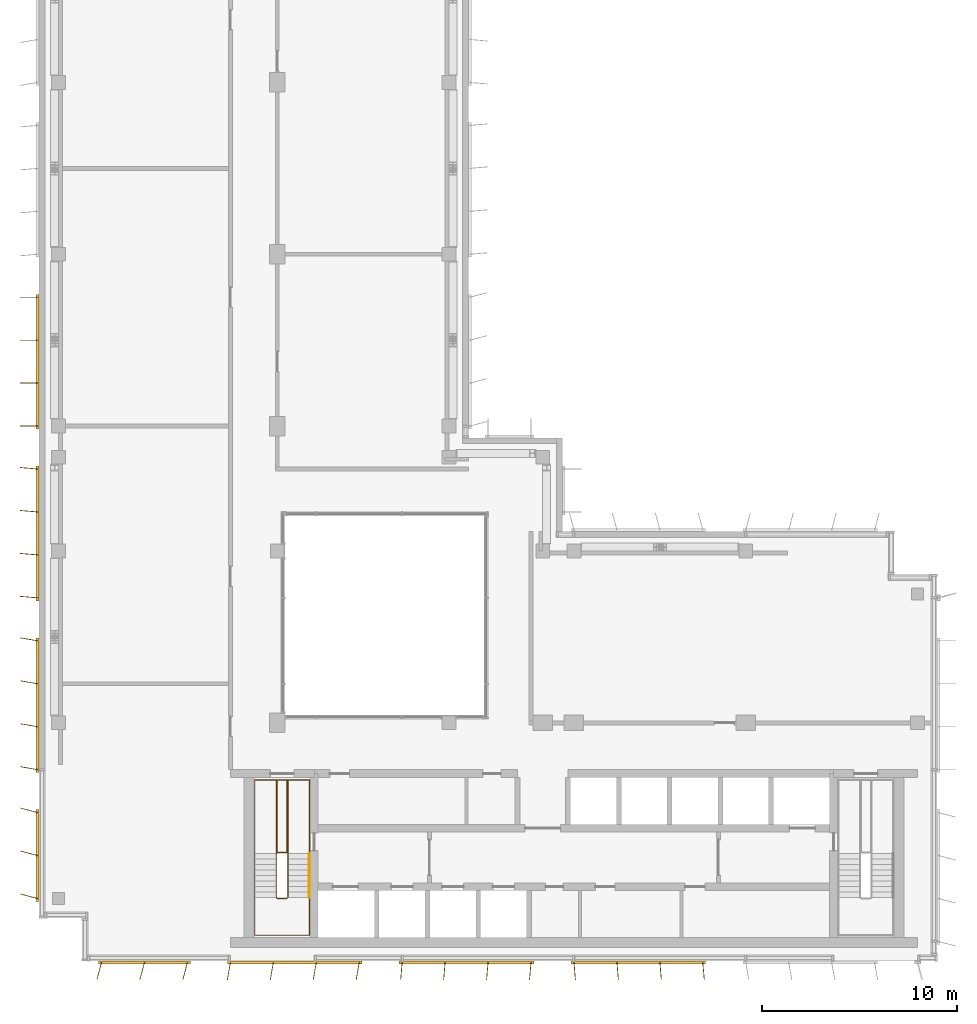
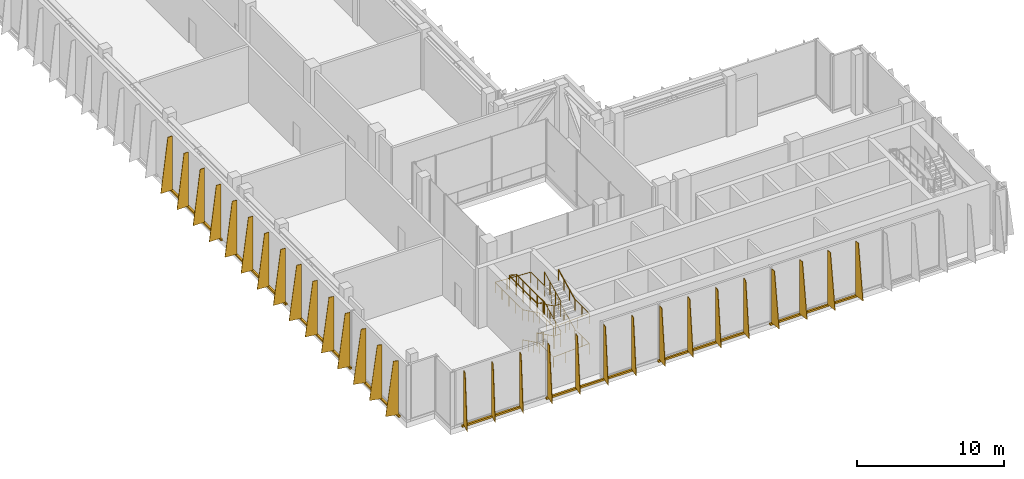
# One storey, part 11 of 14: 8 shading devices, 4 railings.
"""IFC4 building model written with IfcOpenShell, lengths in metres."""

from ifc_helpers import new_model, si_unit, direction, frame, origin, origin_2d, place, context, subcontext, project, spatial, polyline, rectangle, circle, outline, extrude, source, transform, mapped, material, layer, layer_set, type_object, element, save


model = new_model("IFC4")

# Units and contexts
model_context = context("Model", 3, precision=1e-05, world=origin(), true_north=direction((0.0, 1.0)))
body_context = subcontext(model_context, "Body", "Model", "MODEL_VIEW")
ifc_project = project(units=[si_unit("LENGTHUNIT", "METRE"), si_unit("AREAUNIT", "SQUARE_METRE"), si_unit("VOLUMEUNIT", "CUBIC_METRE"), si_unit("PLANEANGLEUNIT", "RADIAN"), si_unit("MASSUNIT", "GRAM", prefix="KILO")], contexts=[model_context])

# Site, building, storey
site_placement = place(None, origin())
site = spatial("IfcSite", under=ifc_project, at=site_placement, CompositionType="ELEMENT")
building_placement = place(site_placement, origin())
building = spatial("IfcBuilding", under=site, at=building_placement, Name="Kemantara Hotel Tower", CompositionType="ELEMENT")
storey_placement = place(building_placement, frame((0.0, 0.0, 309.199951171875)))
storey = spatial("IfcBuildingStorey", under=building, at=storey_placement, Name="L78", CompositionType="ELEMENT", Elevation=309.199951171875)

# Railings
ifc_material_1 = material(Name="Stainless steel balustrade", Category="steel")
railing_type_1 = type_object("IfcRailingType", Name="Stair guard 1100 mm", PredefinedType="GUARDRAIL", material=ifc_material_1)
railing_1_placement = place(storey_placement, frame((12.75, 5.5, 5.0)))
element("IfcRailing", 1, at=railing_1_placement, inside=storey, type_object=railing_type_1, Name="L78 ST1 stair guard 1", PredefinedType="GUARDRAIL", context=body_context, shape_type="SweptSolid", body=[
    extrude(circle(Radius=0.02392578125, at=origin_2d()), frame((0.0, 0.0, 1.076171875), z_axis=(0.0, -0.895848192791, -0.444360231651), x_axis=(1.0, 0.0, 0.0)), (0.0, 0.0, 1.0), 2.50048828125),
    extrude(circle(Radius=0.02392578125, at=origin_2d()), frame((0.0, -2.239990234375, -0.03515625), z_axis=(-0.321014310373, -0.321014310373, -0.891010451718), x_axis=(0.707106781187, -0.707106781187, 0.0)), (0.0, 0.0, 1.0), 0.156005859375),
    extrude(circle(Radius=0.02392578125, at=origin_2d()), frame((-0.050048828125, -2.2900390625, -0.173828125), z_axis=(-1.0, 0.0, 0.0), x_axis=(0.0, -1.0, 0.0)), (0.0, 0.0, 1.0), 0.5),
    extrude(circle(Radius=0.02392578125, at=origin_2d()), frame((-0.550048828125, -2.2900390625, -0.173828125), z_axis=(-0.707106781187, 0.707106781187, 0.0), x_axis=(-0.707106781187, -0.707106781187, 0.0)), (0.0, 0.0, 1.0), 0.07080078125),
    extrude(circle(Radius=0.02392578125, at=origin_2d()), frame((-0.60009765625, -2.239990234375, -0.173828125), z_axis=(0.0, 0.895848192791, -0.444360231651), x_axis=(-1.0, 0.0, 0.0)), (0.0, 0.0, 1.0), 2.50048828125),
    extrude(circle(Radius=0.02392578125, at=origin_2d()), frame((-0.60009765625, 0.0, -1.28515625), z_axis=(0.0, 1.0, 0.0), x_axis=(-1.0, 0.0, 0.0)), (0.0, 0.0, 1.0), 3.780029296875),
    extrude(circle(Radius=0.02392578125, at=origin_2d()), frame((-0.60009765625, 3.780029296875, -1.28515625), z_axis=(0.969557479204, 0.0, -0.244863828525), x_axis=(0.0, 1.0, 0.0)), (0.0, 0.0, 1.0), 0.5673828125),
    extrude(circle(Radius=0.02392578125, at=origin_2d()), frame((-0.050048828125, 3.780029296875, -1.423828125), z_axis=(0.0, -1.0, 0.0), x_axis=(1.0, 0.0, 0.0)), (0.0, 0.0, 1.0), 3.72998046875),
    extrude(circle(Radius=0.02392578125, at=origin_2d()), frame((-0.050048828125, 0.050048828125, -1.423828125), z_axis=(-1.0, 0.0, 0.0), x_axis=(0.0, -1.0, 0.0)), (0.0, 0.0, 1.0), 0.5),
    extrude(circle(Radius=0.02392578125, at=origin_2d()), frame((-0.550048828125, 0.050048828125, -1.423828125), z_axis=(0.0, 1.0, 0.0), x_axis=(-1.0, 0.0, 0.0)), (0.0, 0.0, 1.0), 3.72998046875),
    extrude(circle(Radius=0.02392578125, at=origin_2d()), frame((-0.550048828125, 3.780029296875, -1.423828125), z_axis=(1.0, 0.0, 0.0), x_axis=(0.0, 1.0, 0.0)), (0.0, 0.0, 1.0), 0.550048828125),
    extrude(circle(Radius=0.02392578125, at=origin_2d()), frame((0.0, 3.780029296875, -1.423828125), z_axis=(0.0, -1.0, 0.0), x_axis=(1.0, 0.0, 0.0)), (0.0, 0.0, 1.0), 3.780029296875),
    extrude(circle(Radius=0.02392578125, at=origin_2d()), frame((0.0, 0.0, -1.423828125), z_axis=(0.0, -0.895848192791, -0.444360231651), x_axis=(1.0, 0.0, 0.0)), (0.0, 0.0, 1.0), 2.50048828125),
    extrude(circle(Radius=0.02392578125, at=origin_2d()), frame((0.0, -2.239990234375, -2.53515625), z_axis=(-0.321014310373, -0.321014310373, -0.891010451718), x_axis=(0.707106781187, -0.707106781187, 0.0)), (0.0, 0.0, 1.0), 0.156005859375),
    extrude(circle(Radius=0.02392578125, at=origin_2d()), frame((-0.050048828125, -2.2900390625, -2.673828125), z_axis=(-1.0, 0.0, 0.0), x_axis=(0.0, -1.0, 0.0)), (0.0, 0.0, 1.0), 0.5),
    extrude(circle(Radius=0.02392578125, at=origin_2d()), frame((-0.550048828125, -2.2900390625, -2.673828125), z_axis=(-0.707106781187, 0.707106781187, 0.0), x_axis=(-0.707106781187, -0.707106781187, 0.0)), (0.0, 0.0, 1.0), 0.07080078125),
    extrude(circle(Radius=0.02392578125, at=origin_2d()), frame((-0.60009765625, -2.239990234375, -2.673828125), z_axis=(0.0, 0.895848192791, -0.444360231651), x_axis=(-1.0, 0.0, 0.0)), (0.0, 0.0, 1.0), 2.50048828125),
    extrude(circle(Radius=0.02392578125, at=origin_2d()), frame((-0.60009765625, 0.0, -3.78515625), z_axis=(0.321014310373, 0.321014310373, -0.891010451718), x_axis=(-0.707106781187, 0.707106781187, 0.0)), (0.0, 0.0, 1.0), 0.156005859375),
    extrude(circle(Radius=0.02392578125, at=origin_2d()), frame((-0.550048828125, 0.050048828125, -3.923828125), z_axis=(1.0, 0.0, 0.0), x_axis=(0.0, 1.0, 0.0)), (0.0, 0.0, 1.0), 0.5),
    extrude(circle(Radius=0.02099609375, at=origin_2d()), origin(), (0.0, 0.0, 1.0), 1.052001953125),
    extrude(circle(Radius=0.02099609375, at=origin_2d()), frame((0.0, -0.74658203125, -0.370361328125)), (0.0, 0.0, 1.0), 1.052001953125),
    extrude(circle(Radius=0.02099609375, at=origin_2d()), frame((0.0, -1.493408203125, -0.74072265625)), (0.0, 0.0, 1.0), 1.052001953125),
    extrude(circle(Radius=0.02099609375, at=origin_2d()), frame((0.0, -2.239990234375, -1.111083984375)), (0.0, 0.0, 1.0), 1.052001953125),
    extrude(circle(Radius=0.02099609375, at=origin_2d()), frame((-0.050048828125, -2.2900390625, -1.25)), (0.0, 0.0, 1.0), 1.052001953125),
    extrude(circle(Radius=0.02099609375, at=origin_2d()), frame((-0.550048828125, -2.2900390625, -1.25)), (0.0, 0.0, 1.0), 1.052001953125),
    extrude(circle(Radius=0.02099609375, at=origin_2d()), frame((-0.60009765625, -2.239990234375, -1.25)), (0.0, 0.0, 1.0), 1.052001953125),
    extrude(circle(Radius=0.02099609375, at=origin_2d()), frame((-0.60009765625, -1.493408203125, -1.620361328125)), (0.0, 0.0, 1.0), 1.052001953125),
    extrude(circle(Radius=0.02099609375, at=origin_2d()), frame((-0.60009765625, -0.74658203125, -1.99072265625)), (0.0, 0.0, 1.0), 1.052001953125),
    extrude(circle(Radius=0.02099609375, at=origin_2d()), frame((-0.60009765625, 0.0, -2.361083984375)), (0.0, 0.0, 1.0), 1.052001953125),
    extrude(circle(Radius=0.02099609375, at=origin_2d()), frame((-0.60009765625, 0.945068359375, -2.361083984375)), (0.0, 0.0, 1.0), 1.052001953125),
    extrude(circle(Radius=0.02099609375, at=origin_2d()), frame((-0.60009765625, 1.89013671875, -2.361083984375)), (0.0, 0.0, 1.0), 1.052001953125),
    extrude(circle(Radius=0.02099609375, at=origin_2d()), frame((-0.60009765625, 2.8349609375, -2.361083984375)), (0.0, 0.0, 1.0), 1.052001953125),
    extrude(circle(Radius=0.02099609375, at=origin_2d()), frame((-0.60009765625, 3.780029296875, -2.361083984375)), (0.0, 0.0, 1.0), 1.052001953125),
    extrude(circle(Radius=0.02099609375, at=origin_2d()), frame((-0.050048828125, 3.780029296875, -2.5)), (0.0, 0.0, 1.0), 1.052001953125),
    extrude(circle(Radius=0.02099609375, at=origin_2d()), frame((-0.050048828125, 2.84765625, -2.5)), (0.0, 0.0, 1.0), 1.052001953125),
    extrude(circle(Radius=0.02099609375, at=origin_2d()), frame((-0.050048828125, 1.9150390625, -2.5)), (0.0, 0.0, 1.0), 1.052001953125),
    extrude(circle(Radius=0.02099609375, at=origin_2d()), frame((-0.050048828125, 0.982421875, -2.5)), (0.0, 0.0, 1.0), 1.052001953125),
    extrude(circle(Radius=0.02099609375, at=origin_2d()), frame((-0.050048828125, 0.050048828125, -2.5)), (0.0, 0.0, 1.0), 1.052001953125),
    extrude(circle(Radius=0.02099609375, at=origin_2d()), frame((-0.550048828125, 0.050048828125, -2.5)), (0.0, 0.0, 1.0), 1.052001953125),
    extrude(circle(Radius=0.02099609375, at=origin_2d()), frame((-0.550048828125, 0.982421875, -2.5)), (0.0, 0.0, 1.0), 1.052001953125),
    extrude(circle(Radius=0.02099609375, at=origin_2d()), frame((-0.550048828125, 1.9150390625, -2.5)), (0.0, 0.0, 1.0), 1.052001953125),
    extrude(circle(Radius=0.02099609375, at=origin_2d()), frame((-0.550048828125, 2.84765625, -2.5)), (0.0, 0.0, 1.0), 1.052001953125),
    extrude(circle(Radius=0.02099609375, at=origin_2d()), frame((-0.550048828125, 3.780029296875, -2.5)), (0.0, 0.0, 1.0), 1.052001953125),
    extrude(circle(Radius=0.02099609375, at=origin_2d()), frame((0.0, 3.780029296875, -2.5)), (0.0, 0.0, 1.0), 1.052001953125),
    extrude(circle(Radius=0.02099609375, at=origin_2d()), frame((0.0, 2.8349609375, -2.5)), (0.0, 0.0, 1.0), 1.052001953125),
    extrude(circle(Radius=0.02099609375, at=origin_2d()), frame((0.0, 1.89013671875, -2.5)), (0.0, 0.0, 1.0), 1.052001953125),
    extrude(circle(Radius=0.02099609375, at=origin_2d()), frame((0.0, 0.945068359375, -2.5)), (0.0, 0.0, 1.0), 1.052001953125),
    extrude(circle(Radius=0.02099609375, at=origin_2d()), frame((0.0, 0.0, -2.5)), (0.0, 0.0, 1.0), 1.052001953125),
    extrude(circle(Radius=0.02099609375, at=origin_2d()), frame((0.0, -0.74658203125, -2.870361328125)), (0.0, 0.0, 1.0), 1.052001953125),
    extrude(circle(Radius=0.02099609375, at=origin_2d()), frame((0.0, -1.493408203125, -3.24072265625)), (0.0, 0.0, 1.0), 1.052001953125),
    extrude(circle(Radius=0.02099609375, at=origin_2d()), frame((0.0, -2.239990234375, -3.611083984375)), (0.0, 0.0, 1.0), 1.052001953125),
    extrude(circle(Radius=0.02099609375, at=origin_2d()), frame((-0.050048828125, -2.2900390625, -3.75)), (0.0, 0.0, 1.0), 1.052001953125),
    extrude(circle(Radius=0.02099609375, at=origin_2d()), frame((-0.550048828125, -2.2900390625, -3.75)), (0.0, 0.0, 1.0), 1.052001953125),
    extrude(circle(Radius=0.02099609375, at=origin_2d()), frame((-0.60009765625, -2.239990234375, -3.75)), (0.0, 0.0, 1.0), 1.052001953125),
    extrude(circle(Radius=0.02099609375, at=origin_2d()), frame((-0.60009765625, -1.493408203125, -4.120361328125)), (0.0, 0.0, 1.0), 1.052001953125),
    extrude(circle(Radius=0.02099609375, at=origin_2d()), frame((-0.60009765625, -0.74658203125, -4.49072265625)), (0.0, 0.0, 1.0), 1.052001953125),
    extrude(circle(Radius=0.02099609375, at=origin_2d()), frame((-0.60009765625, 0.0, -4.861083984375)), (0.0, 0.0, 1.0), 1.052001953125),
    extrude(circle(Radius=0.02099609375, at=origin_2d()), frame((-0.550048828125, 0.050048828125, -5.0)), (0.0, 0.0, 1.0), 1.052001953125),
    extrude(circle(Radius=0.02099609375, at=origin_2d()), frame((-0.050048828125, 0.050048828125, -5.0)), (0.0, 0.0, 1.0), 1.052001953125),
])
railing_type_2 = type_object("IfcRailingType", Name="Stair handrail 900 mm", PredefinedType="HANDRAIL", material=ifc_material_1)
railing_2_placement = place(storey_placement, frame((11.050048828125, 5.5, 0.138916015625)))
element("IfcRailing", 2, at=railing_2_placement, inside=storey, type_object=railing_type_2, Name="L78 ST1 stair handrail 1", PredefinedType="HANDRAIL", context=body_context, shape_type="SweptSolid", body=[
    extrude(circle(Radius=0.02392578125, at=origin_2d()), frame((0.0, 0.0, 0.8759765625), z_axis=(0.0, -0.895848192791, 0.444360231651), x_axis=(1.0, 0.0, 0.0)), (0.0, 0.0, 1.0), 2.50048828125),
    extrude(circle(Radius=0.02392578125, at=origin_2d()), frame((0.0, -2.239990234375, 1.98681640625), z_axis=(0.0, -1.0, 0.0), x_axis=(1.0, 0.0, 0.0)), (0.0, 0.0, 1.0), 1.93994140625),
    extrude(circle(Radius=0.02392578125, at=origin_2d()), frame((0.0, -4.179931640625, 1.98681640625), z_axis=(0.998771592041, 0.0, 0.049551053786), x_axis=(0.0, 1.0, 0.0)), (0.0, 0.0, 1.0), 2.803466796875),
    extrude(circle(Radius=0.02392578125, at=origin_2d()), frame((2.800048828125, -4.179931640625, 2.1259765625), z_axis=(0.0, 1.0, 0.0), x_axis=(-1.0, 0.0, 0.0)), (0.0, 0.0, 1.0), 1.93994140625),
    extrude(circle(Radius=0.02392578125, at=origin_2d()), frame((2.800048828125, -2.239990234375, 2.1259765625), z_axis=(0.0, 0.895848192791, 0.444360231651), x_axis=(-1.0, 0.0, 0.0)), (0.0, 0.0, 1.0), 2.50048828125),
    extrude(circle(Radius=0.02099609375, at=origin_2d()), origin(), (0.0, 0.0, 1.0), 0.851806640625),
    extrude(circle(Radius=0.02099609375, at=origin_2d()), frame((0.0, -0.74658203125, 0.370361328125)), (0.0, 0.0, 1.0), 0.851806640625),
    extrude(circle(Radius=0.02099609375, at=origin_2d()), frame((0.0, -1.493408203125, 0.74072265625)), (0.0, 0.0, 1.0), 0.851806640625),
    extrude(circle(Radius=0.02099609375, at=origin_2d()), frame((0.0, -2.239990234375, 1.111083984375)), (0.0, 0.0, 1.0), 0.851806640625),
    extrude(circle(Radius=0.02099609375, at=origin_2d()), frame((0.0, -3.2099609375, 1.111083984375)), (0.0, 0.0, 1.0), 0.851806640625),
    extrude(circle(Radius=0.02099609375, at=origin_2d()), frame((0.0, -4.179931640625, 1.111083984375)), (0.0, 0.0, 1.0), 0.851806640625),
    extrude(circle(Radius=0.02099609375, at=origin_2d()), frame((0.933349609375, -4.179931640625, 1.157470703125)), (0.0, 0.0, 1.0), 0.851806640625),
    extrude(circle(Radius=0.02099609375, at=origin_2d()), frame((1.86669921875, -4.179931640625, 1.20361328125)), (0.0, 0.0, 1.0), 0.851806640625),
    extrude(circle(Radius=0.02099609375, at=origin_2d()), frame((2.800048828125, -4.179931640625, 1.25)), (0.0, 0.0, 1.0), 0.851806640625),
    extrude(circle(Radius=0.02099609375, at=origin_2d()), frame((2.800048828125, -3.2099609375, 1.25)), (0.0, 0.0, 1.0), 0.851806640625),
    extrude(circle(Radius=0.02099609375, at=origin_2d()), frame((2.800048828125, -2.239990234375, 1.25)), (0.0, 0.0, 1.0), 0.851806640625),
    extrude(circle(Radius=0.02099609375, at=origin_2d()), frame((2.800048828125, -1.493408203125, 1.620361328125)), (0.0, 0.0, 1.0), 0.851806640625),
    extrude(circle(Radius=0.02099609375, at=origin_2d()), frame((2.800048828125, -0.74658203125, 1.99072265625)), (0.0, 0.0, 1.0), 0.851806640625),
    extrude(circle(Radius=0.02099609375, at=origin_2d()), frame((2.800048828125, 0.0, 2.361083984375)), (0.0, 0.0, 1.0), 0.851806640625),
])
railing_3_placement = place(storey_placement, frame((13.85009765625, 5.5, 2.5)))
element("IfcRailing", 3, at=railing_3_placement, inside=storey, type_object=railing_type_2, Name="L78 ST1 stair handrail 2", PredefinedType="HANDRAIL", context=body_context, shape_type="SweptSolid", body=[
    extrude(circle(Radius=0.02392578125, at=origin_2d()), frame((0.0, 0.0, 0.8759765625), z_axis=(0.0, 1.0, 0.0), x_axis=(-1.0, 0.0, 0.0)), (0.0, 0.0, 1.0), 3.780029296875),
    extrude(circle(Radius=0.02392578125, at=origin_2d()), frame((0.0, 3.780029296875, 0.8759765625), z_axis=(-0.998771592041, 0.0, 0.049551053786), x_axis=(0.0, -1.0, 0.0)), (0.0, 0.0, 1.0), 2.803466796875),
    extrude(circle(Radius=0.02392578125, at=origin_2d()), frame((-2.800048828125, 3.780029296875, 1.0146484375), z_axis=(0.0, -1.0, 0.0), x_axis=(1.0, 0.0, 0.0)), (0.0, 0.0, 1.0), 3.780029296875),
    extrude(circle(Radius=0.02392578125, at=origin_2d()), frame((-2.800048828125, 0.0, 1.0146484375), z_axis=(0.0, -0.895848192791, 0.444360231651), x_axis=(1.0, 0.0, 0.0)), (0.0, 0.0, 1.0), 2.50048828125),
    extrude(circle(Radius=0.02392578125, at=origin_2d()), frame((-2.800048828125, -2.239990234375, 2.1259765625), z_axis=(0.0, -1.0, 0.0), x_axis=(1.0, 0.0, 0.0)), (0.0, 0.0, 1.0), 1.93994140625),
    extrude(circle(Radius=0.02392578125, at=origin_2d()), frame((-2.800048828125, -4.179931640625, 2.1259765625), z_axis=(0.998771592041, 0.0, 0.049551053786), x_axis=(0.0, 1.0, 0.0)), (0.0, 0.0, 1.0), 2.803466796875),
    extrude(circle(Radius=0.02392578125, at=origin_2d()), frame((0.0, -4.179931640625, 2.2646484375), z_axis=(0.0, 1.0, 0.0), x_axis=(-1.0, 0.0, 0.0)), (0.0, 0.0, 1.0), 1.93994140625),
    extrude(circle(Radius=0.02099609375, at=origin_2d()), origin(), (0.0, 0.0, 1.0), 0.851806640625),
    extrude(circle(Radius=0.02099609375, at=origin_2d()), frame((0.0, 0.945068359375, 0.0)), (0.0, 0.0, 1.0), 0.851806640625),
    extrude(circle(Radius=0.02099609375, at=origin_2d()), frame((0.0, 1.89013671875, 0.0)), (0.0, 0.0, 1.0), 0.851806640625),
    extrude(circle(Radius=0.02099609375, at=origin_2d()), frame((0.0, 2.8349609375, 0.0)), (0.0, 0.0, 1.0), 0.851806640625),
    extrude(circle(Radius=0.02099609375, at=origin_2d()), frame((0.0, 3.780029296875, 0.0)), (0.0, 0.0, 1.0), 0.851806640625),
    extrude(circle(Radius=0.02099609375, at=origin_2d()), frame((-0.933349609375, 3.780029296875, 0.04638671875)), (0.0, 0.0, 1.0), 0.851806640625),
    extrude(circle(Radius=0.02099609375, at=origin_2d()), frame((-1.86669921875, 3.780029296875, 0.092529296875)), (0.0, 0.0, 1.0), 0.851806640625),
    extrude(circle(Radius=0.02099609375, at=origin_2d()), frame((-2.800048828125, 3.780029296875, 0.138916015625)), (0.0, 0.0, 1.0), 0.851806640625),
    extrude(circle(Radius=0.02099609375, at=origin_2d()), frame((-2.800048828125, 2.8349609375, 0.138916015625)), (0.0, 0.0, 1.0), 0.851806640625),
    extrude(circle(Radius=0.02099609375, at=origin_2d()), frame((-2.800048828125, 1.89013671875, 0.138916015625)), (0.0, 0.0, 1.0), 0.851806640625),
    extrude(circle(Radius=0.02099609375, at=origin_2d()), frame((-2.800048828125, 0.945068359375, 0.138916015625)), (0.0, 0.0, 1.0), 0.851806640625),
    extrude(circle(Radius=0.02099609375, at=origin_2d()), frame((-2.800048828125, 0.0, 0.138916015625)), (0.0, 0.0, 1.0), 0.851806640625),
    extrude(circle(Radius=0.02099609375, at=origin_2d()), frame((-2.800048828125, -0.74658203125, 0.50927734375)), (0.0, 0.0, 1.0), 0.851806640625),
    extrude(circle(Radius=0.02099609375, at=origin_2d()), frame((-2.800048828125, -1.493408203125, 0.879638671875)), (0.0, 0.0, 1.0), 0.851806640625),
    extrude(circle(Radius=0.02099609375, at=origin_2d()), frame((-2.800048828125, -2.239990234375, 1.25)), (0.0, 0.0, 1.0), 0.851806640625),
    extrude(circle(Radius=0.02099609375, at=origin_2d()), frame((-2.800048828125, -3.2099609375, 1.25)), (0.0, 0.0, 1.0), 0.851806640625),
    extrude(circle(Radius=0.02099609375, at=origin_2d()), frame((-2.800048828125, -4.179931640625, 1.25)), (0.0, 0.0, 1.0), 0.851806640625),
    extrude(circle(Radius=0.02099609375, at=origin_2d()), frame((-1.86669921875, -4.179931640625, 1.29638671875)), (0.0, 0.0, 1.0), 0.851806640625),
    extrude(circle(Radius=0.02099609375, at=origin_2d()), frame((-0.933349609375, -4.179931640625, 1.342529296875)), (0.0, 0.0, 1.0), 0.851806640625),
    extrude(circle(Radius=0.02099609375, at=origin_2d()), frame((0.0, -4.179931640625, 1.388916015625)), (0.0, 0.0, 1.0), 0.851806640625),
    extrude(circle(Radius=0.02099609375, at=origin_2d()), frame((0.0, -3.2099609375, 1.388916015625)), (0.0, 0.0, 1.0), 0.851806640625),
    extrude(circle(Radius=0.02099609375, at=origin_2d()), frame((0.0, -2.239990234375, 1.388916015625)), (0.0, 0.0, 1.0), 0.851806640625),
])
railing_4_placement = place(storey_placement, frame((13.85009765625, 3.260009765625, 3.888916015625)))
element("IfcRailing", 4, at=railing_4_placement, inside=storey, type_object=railing_type_2, Name="L78 ST1 stair handrail 3", PredefinedType="HANDRAIL", context=body_context, shape_type="SweptSolid", body=[
    extrude(circle(Radius=0.02392578125, at=origin_2d()), frame((0.0, 0.0, 0.8759765625), z_axis=(0.0, 0.895848192791, 0.444360231651), x_axis=(-1.0, 0.0, 0.0)), (0.0, 0.0, 1.0), 2.50048828125),
    extrude(circle(Radius=0.02099609375, at=origin_2d()), origin(), (0.0, 0.0, 1.0), 0.851806640625),
    extrude(circle(Radius=0.02099609375, at=origin_2d()), frame((0.0, 0.74658203125, 0.370361328125)), (0.0, 0.0, 1.0), 0.851806640625),
    extrude(circle(Radius=0.02099609375, at=origin_2d()), frame((0.0, 1.493408203125, 0.74072265625)), (0.0, 0.0, 1.0), 0.851806640625),
    extrude(circle(Radius=0.02099609375, at=origin_2d()), frame((0.0, 2.239990234375, 1.111083984375)), (0.0, 0.0, 1.0), 0.851806640625),
])

# Shading devices
ifc_material_2 = material(Name="Perforated aluminium plate 4 mm bronze anodised", Category="aluminium")
ifc_layer_1 = layer(ifc_material_2, 0.0400390625)
ifc_layer_set_1 = layer_set([ifc_layer_1], Name="Perforated aluminium plate 4 mm bronze anodised")
shading_device_type_1 = type_object("IfcShadingDeviceType", Name="SCREEN FIN CASSETTE, 3 BLADES AT -15.0 DEG, 4500 HIGH", PredefinedType="USERDEFINED", material=ifc_layer_set_1)
shared_shape_1 = source(origin(), body_context, "Body", "SweptSolid", [
    extrude(rectangle(XDim=4.699951171875, YDim=0.14990234375, at=origin_2d()), frame((2.199951171875, -0.074951171875, -0.14990234375), z_axis=(0.0, 0.0, 1.0), x_axis=(1.0, 0.0, 0.0)), (0.0, 0.0, 1.0), 0.14990234375),
    extrude(outline(polyline([(0.0, 0.0), (0.89990234375, 0.0), (0.35009765625, 4.5), (0.0, 4.5), (0.0, 0.0)])), frame((0.019287109375, -0.080078125, 0.0), z_axis=(-0.966437683387, 0.256901156343, 0.0), x_axis=(-0.256901156343, -0.966437683387, 0.0)), (0.0, 0.0, 1.0), 0.039794921875),
    extrude(outline(polyline([(0.0, 0.0), (0.89990234375, 0.0), (0.35009765625, 4.5), (0.0, 4.5), (0.0, 0.0)])), frame((2.21923828125, -0.080078125, 0.0), z_axis=(-0.966437683387, 0.256901156343, 0.0), x_axis=(-0.256901156343, -0.966437683387, 0.0)), (0.0, 0.0, 1.0), 0.039794921875),
    extrude(outline(polyline([(0.0, 0.0), (0.89990234375, 0.0), (0.35009765625, 4.5), (0.0, 4.5), (0.0, 0.0)])), frame((4.41943359375, -0.080078125, 0.0), z_axis=(-0.966837822169, 0.255391122837, 0.0), x_axis=(-0.255391122837, -0.966837822169, 0.0)), (0.0, 0.0, 1.0), 0.0400390625),
])
for number, where, z_axis, x_axis, name in (
    (5, (0.0, 7.60009765625, 0.10009765625), (0.0, 0.0, 1.0), (0.0, -1.0, 0.0), "SCREEN FIN CASSETTE L78 CRN-R05-7"),
    (6, (3.199951171875, 0.0, 0.10009765625), (0.0, 0.0, 1.0), (1.0, 0.0, 0.0), "SCREEN FIN CASSETTE L78 CRN-R08-1"),
):
    element("IfcShadingDevice", number, at=place(storey_placement, frame(where, z_axis=z_axis, x_axis=x_axis)), inside=storey, type_object=shading_device_type_1, Name=name, ObjectType="SCREEN FIN", PredefinedType="USERDEFINED", context=body_context, shape_type="MappedRepresentation", body=[
        mapped(shared_shape_1, transform((0.0, 0.0, 0.0))),
    ])
ifc_layer_2 = layer(ifc_material_2, 0.0400390625)
ifc_layer_set_2 = layer_set([ifc_layer_2], Name="Perforated aluminium plate 4 mm bronze anodised")
shading_device_type_2 = type_object("IfcShadingDeviceType", Name="SCREEN FIN CASSETTE, 4 BLADES AT -10.0 DEG, 4500 HIGH", PredefinedType="USERDEFINED", material=ifc_layer_set_2)
shared_shape_2 = source(origin(), body_context, "Body", "SweptSolid", [
    extrude(rectangle(XDim=6.89990234375, YDim=0.14990234375, at=origin_2d()), frame((3.300048828125, -0.074951171875, -0.14990234375), z_axis=(0.0, 0.0, 1.0), x_axis=(1.0, 0.0, 0.0)), (0.0, 0.0, 1.0), 0.14990234375),
    extrude(outline(polyline([(0.0, 0.0), (0.89990234375, 0.0), (0.35009765625, 4.5), (0.0, 4.5), (0.0, 0.0)])), frame((0.019775390625, -0.078369140625, 0.0), z_axis=(-0.985389793052, 0.170314285219, 0.0), x_axis=(-0.170314285219, -0.985389793052, 0.0)), (0.0, 0.0, 1.0), 0.0400390625),
    extrude(outline(polyline([(0.0, 0.0), (0.89990234375, 0.0), (0.35009765625, 4.5), (0.0, 4.5), (0.0, 0.0)])), frame((2.2197265625, -0.078369140625, 0.0), z_axis=(-0.98521175482, 0.171341174751, 0.0), x_axis=(-0.171341174751, -0.98521175482, 0.0)), (0.0, 0.0, 1.0), 0.039794921875),
    extrude(outline(polyline([(0.0, 0.0), (0.89990234375, 0.0), (0.35009765625, 4.5), (0.0, 4.5), (0.0, 0.0)])), frame((4.419677734375, -0.078369140625, 0.0), z_axis=(-0.98521175482, 0.171341174751, 0.0), x_axis=(-0.171341174751, -0.98521175482, 0.0)), (0.0, 0.0, 1.0), 0.039794921875),
    extrude(outline(polyline([(0.0, 0.0), (0.89990234375, 0.0), (0.35009765625, 4.5), (0.0, 4.5), (0.0, 0.0)])), frame((6.61962890625, -0.078369140625, 0.0), z_axis=(-0.98521175482, 0.171341174751, 0.0), x_axis=(-0.171341174751, -0.98521175482, 0.0)), (0.0, 0.0, 1.0), 0.039794921875),
])
for number, where, z_axis, x_axis, name in (
    (7, (0.0, 16.39990234375, 0.10009765625), (0.0, 0.0, 1.0), (0.0, -1.0, 0.0), "SCREEN FIN CASSETTE L78 CRN-R05-6"),
    (8, (9.800048828125, 0.0, 0.10009765625), (0.0, 0.0, 1.0), (1.0, 0.0, 0.0), "SCREEN FIN CASSETTE L78 CRN-R08-2"),
):
    element("IfcShadingDevice", number, at=place(storey_placement, frame(where, z_axis=z_axis, x_axis=x_axis)), inside=storey, type_object=shading_device_type_2, Name=name, ObjectType="SCREEN FIN", PredefinedType="USERDEFINED", context=body_context, shape_type="MappedRepresentation", body=[
        mapped(shared_shape_2, transform((0.0, 0.0, 0.0))),
    ])
ifc_layer_3 = layer(ifc_material_2, 0.0400390625)
ifc_layer_set_3 = layer_set([ifc_layer_3], Name="Perforated aluminium plate 4 mm bronze anodised")
shading_device_type_3 = type_object("IfcShadingDeviceType", Name="SCREEN FIN CASSETTE, 4 BLADES AT -5.0 DEG, 4500 HIGH", PredefinedType="USERDEFINED", material=ifc_layer_set_3)
shared_shape_3 = source(origin(), body_context, "Body", "SweptSolid", [
    extrude(rectangle(XDim=6.89990234375, YDim=0.14990234375, at=origin_2d()), frame((3.300048828125, -0.074951171875, -0.14990234375), z_axis=(0.0, 0.0, 1.0), x_axis=(1.0, 0.0, 0.0)), (0.0, 0.0, 1.0), 0.14990234375),
    extrude(outline(polyline([(0.0, 0.0), (0.89990234375, 0.0), (0.35009765625, 4.5), (0.0, 4.5), (0.0, 0.0)])), frame((0.02001953125, -0.07666015625, 0.0), z_axis=(-0.996376129781, 0.085056498884, 0.0), x_axis=(-0.085056498884, -0.996376129781, 0.0)), (0.0, 0.0, 1.0), 0.040283203125),
    extrude(outline(polyline([(0.0, 0.0), (0.89990234375, 0.0), (0.35009765625, 4.5), (0.0, 4.5), (0.0, 0.0)])), frame((2.219970703125, -0.07666015625, 0.0), z_axis=(-0.996331773833, 0.085574508182, 0.0), x_axis=(-0.085574508182, -0.996331773833, 0.0)), (0.0, 0.0, 1.0), 0.0400390625),
    extrude(outline(polyline([(0.0, 0.0), (0.89990234375, 0.0), (0.35009765625, 4.5), (0.0, 4.5), (0.0, 0.0)])), frame((4.419921875, -0.07666015625, 0.0), z_axis=(-0.996331773833, 0.085574508182, 0.0), x_axis=(-0.085574508182, -0.996331773833, 0.0)), (0.0, 0.0, 1.0), 0.0400390625),
    extrude(outline(polyline([(0.0, 0.0), (0.89990234375, 0.0), (0.35009765625, 4.5), (0.0, 4.5), (0.0, 0.0)])), frame((6.619873046875, -0.07666015625, 0.0), z_axis=(-0.996331773833, 0.085574508182, 0.0), x_axis=(-0.085574508182, -0.996331773833, 0.0)), (0.0, 0.0, 1.0), 0.0400390625),
])
for number, where, z_axis, x_axis, name in (
    (9, (0.0, 25.199951171875, 0.10009765625), (0.0, 0.0, 1.0), (0.0, -1.0, 0.0), "SCREEN FIN CASSETTE L78 CRN-R05-5"),
    (10, (18.60009765625, 0.0, 0.10009765625), (0.0, 0.0, 1.0), (1.0, 0.0, 0.0), "SCREEN FIN CASSETTE L78 CRN-R08-3"),
):
    element("IfcShadingDevice", number, at=place(storey_placement, frame(where, z_axis=z_axis, x_axis=x_axis)), inside=storey, type_object=shading_device_type_3, Name=name, ObjectType="SCREEN FIN", PredefinedType="USERDEFINED", context=body_context, shape_type="MappedRepresentation", body=[
        mapped(shared_shape_3, transform((0.0, 0.0, 0.0))),
    ])
ifc_layer_4 = layer(ifc_material_2, 0.0400390625)
ifc_layer_set_4 = layer_set([ifc_layer_4], Name="Perforated aluminium plate 4 mm bronze anodised")
shading_device_type_4 = type_object("IfcShadingDeviceType", Name="SCREEN FIN CASSETTE, 4 BLADES AT +0.0 DEG, 4500 HIGH", PredefinedType="USERDEFINED", material=ifc_layer_set_4)
shared_shape_4 = source(origin(), body_context, "Body", "SweptSolid", [
    extrude(rectangle(XDim=6.89990234375, YDim=0.14990234375, at=origin_2d()), frame((3.300048828125, -0.074951171875, -0.14990234375), z_axis=(0.0, 0.0, 1.0), x_axis=(1.0, 0.0, 0.0)), (0.0, 0.0, 1.0), 0.14990234375),
    extrude(outline(polyline([(0.0, 0.0), (0.89990234375, 0.0), (0.35009765625, 4.5), (0.0, 4.5), (0.0, 0.0)])), frame((0.02001953125, -0.074951171875, 0.0), z_axis=(-1.0, 0.0, 0.0), x_axis=(0.0, -1.0, 0.0)), (0.0, 0.0, 1.0), 0.0400390625),
    extrude(outline(polyline([(0.0, 0.0), (0.89990234375, 0.0), (0.35009765625, 4.5), (0.0, 4.5), (0.0, 0.0)])), frame((2.219970703125, -0.074951171875, 0.0), z_axis=(-1.0, 0.0, 0.0), x_axis=(0.0, -1.0, 0.0)), (0.0, 0.0, 1.0), 0.0400390625),
    extrude(outline(polyline([(0.0, 0.0), (0.89990234375, 0.0), (0.35009765625, 4.5), (0.0, 4.5), (0.0, 0.0)])), frame((4.419921875, -0.074951171875, 0.0), z_axis=(-1.0, 0.0, 0.0), x_axis=(0.0, -1.0, 0.0)), (0.0, 0.0, 1.0), 0.0400390625),
    extrude(outline(polyline([(0.0, 0.0), (0.89990234375, 0.0), (0.35009765625, 4.5), (0.0, 4.5), (0.0, 0.0)])), frame((6.6201171875, -0.074951171875, 0.0), z_axis=(-1.0, 0.0, 0.0), x_axis=(0.0, -1.0, 0.0)), (0.0, 0.0, 1.0), 0.0400390625),
])
shading_device_1_placement = place(storey_placement, frame((0.0, 34.0, 0.10009765625), z_axis=(0.0, 0.0, 1.0), x_axis=(0.0, -1.0, 0.0)))
element("IfcShadingDevice", 11, at=shading_device_1_placement, inside=storey, type_object=shading_device_type_4, Name="SCREEN FIN CASSETTE L78 CRN-R05-4", ObjectType="SCREEN FIN", PredefinedType="USERDEFINED", context=body_context, shape_type="MappedRepresentation", body=[
    mapped(shared_shape_4, transform((0.0, 0.0, 0.0))),
])
ifc_layer_5 = layer(ifc_material_2, 0.0400390625)
ifc_layer_set_5 = layer_set([ifc_layer_5], Name="Perforated aluminium plate 4 mm bronze anodised")
shading_device_type_5 = type_object("IfcShadingDeviceType", Name="SCREEN FIN CASSETTE, 4 BLADES AT +5.0 DEG, 4500 HIGH", PredefinedType="USERDEFINED", material=ifc_layer_set_5)
shared_shape_5 = source(origin(), body_context, "Body", "SweptSolid", [
    extrude(rectangle(XDim=6.89990234375, YDim=0.14990234375, at=origin_2d()), frame((3.300048828125, -0.074951171875, -0.14990234375), z_axis=(0.0, 0.0, 1.0), x_axis=(1.0, 0.0, 0.0)), (0.0, 0.0, 1.0), 0.14990234375),
    extrude(outline(polyline([(0.0, 0.0), (0.89990234375, 0.0), (0.35009765625, 4.5), (0.0, 4.5), (0.0, 0.0)])), frame((0.02001953125, -0.0732421875, 0.0), z_axis=(-0.996376129781, -0.085056498884, 0.0), x_axis=(0.085056498884, -0.996376129781, 0.0)), (0.0, 0.0, 1.0), 0.040283203125),
    extrude(outline(polyline([(0.0, 0.0), (0.89990234375, 0.0), (0.35009765625, 4.5), (0.0, 4.5), (0.0, 0.0)])), frame((2.219970703125, -0.0732421875, 0.0), z_axis=(-0.996331773833, -0.085574508182, 0.0), x_axis=(0.085574508182, -0.996331773833, 0.0)), (0.0, 0.0, 1.0), 0.0400390625),
    extrude(outline(polyline([(0.0, 0.0), (0.89990234375, 0.0), (0.35009765625, 4.5), (0.0, 4.5), (0.0, 0.0)])), frame((4.419921875, -0.0732421875, 0.0), z_axis=(-0.996331773833, -0.085574508182, 0.0), x_axis=(0.085574508182, -0.996331773833, 0.0)), (0.0, 0.0, 1.0), 0.0400390625),
    extrude(outline(polyline([(0.0, 0.0), (0.89990234375, 0.0), (0.35009765625, 4.5), (0.0, 4.5), (0.0, 0.0)])), frame((6.619873046875, -0.0732421875, 0.0), z_axis=(-0.996331773833, -0.085574508182, 0.0), x_axis=(0.085574508182, -0.996331773833, 0.0)), (0.0, 0.0, 1.0), 0.0400390625),
])
shading_device_2_placement = place(storey_placement, frame((27.39990234375, 0.0, 0.10009765625), z_axis=(0.0, 0.0, 1.0), x_axis=(1.0, 0.0, 0.0)))
element("IfcShadingDevice", 12, at=shading_device_2_placement, inside=storey, type_object=shading_device_type_5, Name="SCREEN FIN CASSETTE L78 CRN-R08-4", ObjectType="SCREEN FIN", PredefinedType="USERDEFINED", context=body_context, shape_type="MappedRepresentation", body=[
    mapped(shared_shape_5, transform((0.0, 0.0, 0.0))),
])

save(model, "model.ifc")
